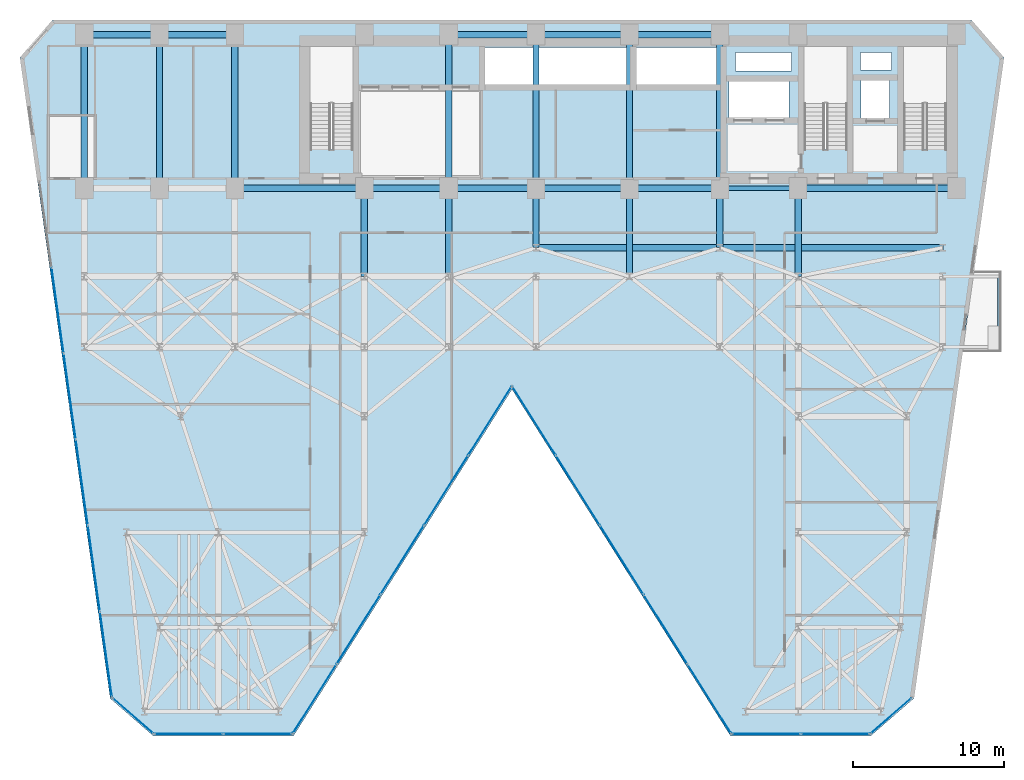
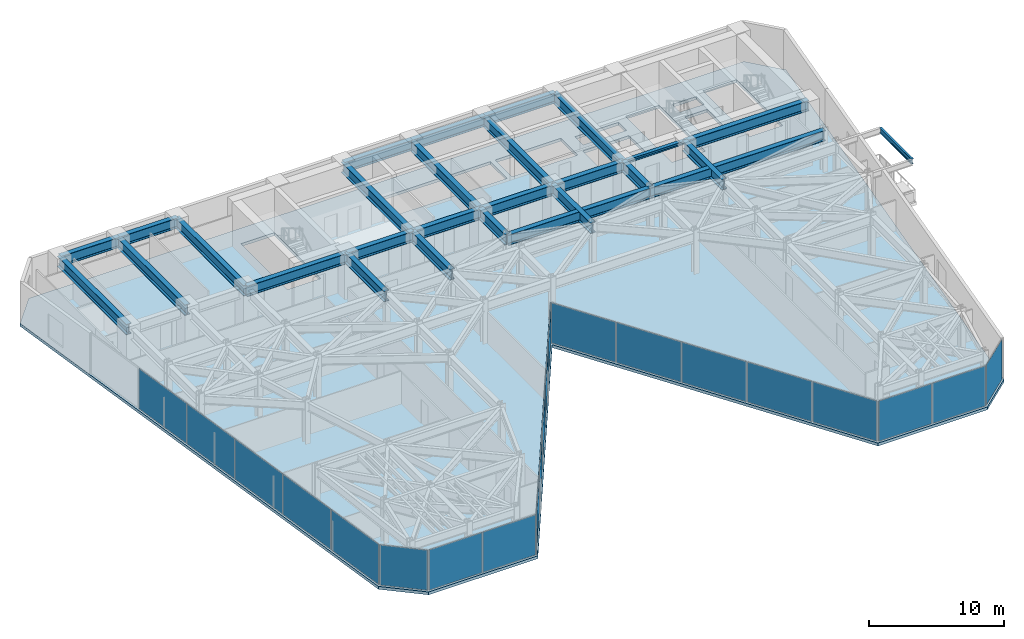
# One storey, part 18 of 24: 28 beams, 21 plates, 1 slab, 7 elements without a shape of their own.
"""IFC4 building model written with IfcOpenShell, lengths in metres."""

import ifcopenshell
import ifcopenshell.guid

model = None  # the IFC model being written
_history = None  # IfcOwnerHistory: only IFC2X3 demands one
_inside = {}  # id of a spatial element -> (the spatial element, [elements in it])
_under = {}  # id of a project, library or spatial element -> (it, [spatial elements below it])
_declared = {}  # id of a project -> (the project, [libraries it declares])
_typed = {}  # id of a type object -> (the type object, [elements of that type])
_made_of = {}  # id of a material, layer set ... -> (it, [elements and type objects made of it])


def new_model(schema):
    """Start an empty IFC model of exactly this schema.

    Asked for "IFC4X3", IfcOpenShell would pick the latest addendum, in which some entities
    have other attributes; the version numbers below select the first issue.
    IFC2X3 requires an IfcOwnerHistory on every rooted entity: one is made here for all.
    """
    global model, _history
    if schema == "IFC4X3":
        model = ifcopenshell.file(schema_version=(4, 3, 0, 0))
    else:
        model = ifcopenshell.file(schema=schema)
    _inside.clear()
    _under.clear()
    _declared.clear()
    _typed.clear()
    _made_of.clear()
    _history = None
    if model.schema == "IFC2X3":
        org = make("IfcOrganization", Name="unknown")
        user = make(
            "IfcPersonAndOrganization",
            ThePerson=make("IfcPerson", FamilyName="unknown"),
            TheOrganization=org,
        )
        app = make(
            "IfcApplication",
            ApplicationDeveloper=org,
            Version="unknown",
            ApplicationFullName="unknown",
            ApplicationIdentifier="unknown",
        )
        _history = make(
            "IfcOwnerHistory",
            OwningUser=user,
            OwningApplication=app,
            ChangeAction="ADDED",
            CreationDate=0,
        )
    return model


def make(cls, **values):
    """One entity of the class cls with the attributes given. An attribute that is None is left unset."""
    return model.create_entity(
        cls, **{name: value for name, value in values.items() if value is not None}
    )


def rooted(cls, **values):
    """An entity with a GlobalId (a new one), such as an element, a storey or a relation."""
    return make(cls, GlobalId=ifcopenshell.guid.new(), OwnerHistory=_history, **values)


def si_unit(unit_type, name, prefix=None):
    """IfcSIUnit, for example si_unit("LENGTHUNIT", "METRE", prefix="MILLI")."""
    return make("IfcSIUnit", UnitType=unit_type, Prefix=prefix, Name=name)


def assignment(units):
    """IfcUnitAssignment: the units of a project."""
    return None if units is None else make("IfcUnitAssignment", Units=units)


def point(xyz):
    """IfcCartesianPoint."""
    return None if xyz is None else make("IfcCartesianPoint", Coordinates=xyz)


def direction(xyz):
    """IfcDirection."""
    return None if xyz is None else make("IfcDirection", DirectionRatios=xyz)


def frame(location, z_axis=None, x_axis=None):
    """IfcAxis2Placement3D, a coordinate frame: its origin and axes. An axis left out is left unset."""
    return make(
        "IfcAxis2Placement3D",
        Location=point(location),
        Axis=direction(z_axis),
        RefDirection=direction(x_axis),
    )


def frame_2d(location, x_axis=None):
    """IfcAxis2Placement2D, a coordinate frame in the plane: its origin and x axis."""
    return make(
        "IfcAxis2Placement2D", Location=point(location), RefDirection=direction(x_axis)
    )


def origin():
    """The frame at (0, 0, 0) with its axes left unset."""
    return frame((0.0, 0.0, 0.0))


def origin_2d():
    """The frame at (0, 0) in the plane with its x axis left unset."""
    return frame_2d((0.0, 0.0))


def place(relative_to, where):
    """IfcLocalPlacement: puts the frame where relative to a parent placement (None: the world)."""
    return make(
        "IfcLocalPlacement", PlacementRelTo=relative_to, RelativePlacement=where
    )


def context(
    kind, dimensions, precision=None, world=None, true_north=None, identifier=None
):
    """IfcGeometricRepresentationContext, for example the 3D "Model" context."""
    return make(
        "IfcGeometricRepresentationContext",
        ContextIdentifier=identifier,
        ContextType=kind,
        CoordinateSpaceDimension=dimensions,
        Precision=precision,
        WorldCoordinateSystem=world,
        TrueNorth=true_north,
    )


def subcontext(parent, identifier, kind, view, scale=None):
    """IfcGeometricRepresentationSubContext, for example "Body" below "Model"."""
    return make(
        "IfcGeometricRepresentationSubContext",
        ContextIdentifier=identifier,
        ContextType=kind,
        ParentContext=parent,
        TargetScale=scale,
        TargetView=view,
    )


def project(units=None, contexts=None):
    """IfcProject with its units and contexts."""
    return rooted(
        "IfcProject",
        Name="project",
        RepresentationContexts=contexts,
        UnitsInContext=assignment(units),
    )


def spatial(cls, under=None, at=None, **own):
    """A site, building, storey or space (cls), placed at a placement, below another one or the project."""
    s = rooted(cls, ObjectPlacement=at, **own)
    if under is not None:
        _under.setdefault(under.id(), (under, []))[1].append(s)
    return s


def polyline(points):
    """IfcPolyline through the points."""
    return make("IfcPolyline", Points=[point(p) for p in points])


def profile(cls, at=None, kind="AREA", **sizes):
    """A parametric profile (cls). Its sizes go by their IFC names, for example OverallWidth=200.0."""
    return make(cls, ProfileType=kind, Position=at, **sizes)


def rectangle(**sizes):
    """IfcRectangleProfileDef."""
    return profile("IfcRectangleProfileDef", **sizes)


def i_section(**sizes):
    """IfcIShapeProfileDef."""
    return profile("IfcIShapeProfileDef", **sizes)


def outline(outer, holes=None, kind="AREA"):
    """IfcArbitraryClosedProfileDef: a profile drawn as a closed curve; with holes, ...WithVoids."""
    if holes is None:
        return make("IfcArbitraryClosedProfileDef", ProfileType=kind, OuterCurve=outer)
    return make(
        "IfcArbitraryProfileDefWithVoids",
        ProfileType=kind,
        OuterCurve=outer,
        InnerCurves=holes,
    )


def extrude(swept, where, along, depth):
    """IfcExtrudedAreaSolid: the profile swept, set in the frame where, extruded along a direction by depth."""
    return make(
        "IfcExtrudedAreaSolid",
        SweptArea=swept,
        Position=where,
        ExtrudedDirection=direction(along),
        Depth=depth,
    )


def shape(context_of_items, identifier, shape_type, items):
    """IfcShapeRepresentation: the items that make up one representation, for example the "Body"."""
    return make(
        "IfcShapeRepresentation",
        ContextOfItems=context_of_items,
        RepresentationIdentifier=identifier,
        RepresentationType=shape_type,
        Items=items,
    )


def material(Name=None, Category=None):
    """IfcMaterial."""
    return make("IfcMaterial", Name=Name, Category=Category)


def layer(
    of_material, thickness, ventilated=None, Name=None, Category=None, Priority=None
):
    """IfcMaterialLayer: one layer of a wall or slab, of a material (None: an air gap)."""
    return make(
        "IfcMaterialLayer",
        Material=of_material,
        LayerThickness=thickness,
        IsVentilated=ventilated,
        Name=Name,
        Category=Category,
        Priority=Priority,
    )


def layer_set(layers, Name=None):
    """IfcMaterialLayerSet."""
    return make("IfcMaterialLayerSet", MaterialLayers=layers, LayerSetName=Name)


def material_profile(
    of_material, cross_section, Name=None, Category=None, Priority=None
):
    """IfcMaterialProfile: a cross section and its material."""
    return make(
        "IfcMaterialProfile",
        Name=Name,
        Material=of_material,
        Profile=cross_section,
        Priority=Priority,
        Category=Category,
    )


def profile_set(profiles, Name=None, composite=None):
    """IfcMaterialProfileSet."""
    return make(
        "IfcMaterialProfileSet",
        Name=Name,
        MaterialProfiles=profiles,
        CompositeProfile=composite,
    )


def made_of(thing, what):
    """Note that an element or type object is made of a material, layer set ...; save() writes the relation."""
    if what is not None:
        _made_of.setdefault(what.id(), (what, []))[1].append(thing)
    return thing


def type_object(cls, material=None, **own):
    """A type object (cls), such as IfcWallType, which elements share."""
    return made_of(rooted(cls, **own), material)


def element(
    cls,
    number,
    at=None,
    inside=None,
    cuts=None,
    type_object=None,
    material=None,
    context=None,
    identifier="Body",
    shape_type=None,
    held_by="IfcProductDefinitionShape",
    body=None,
    shapes=None,
    **own,
):
    """One element of the class cls, such as IfcWall. Its Tag is "e" and its number.

    at: its placement. inside: the storey or other place that contains it. cuts: it is an
    opening in that element (IfcRelVoidsElement). A single representation is given by context,
    identifier, shape_type and body (its items); several are given by shapes. held_by: the class
    of the entity that holds the representations. save() writes the other relations.
    """
    e = rooted(cls, Tag="e%d" % number, ObjectPlacement=at, **own)
    if body is not None:
        shapes = [shape(context, identifier, shape_type, body)]
    if shapes is not None:
        e.Representation = make(held_by, Representations=shapes)
    if inside is not None:
        _inside.setdefault(inside.id(), (inside, []))[1].append(e)
    if cuts is not None:
        rooted(
            "IfcRelVoidsElement", RelatingBuildingElement=cuts, RelatedOpeningElement=e
        )
    if type_object is not None:
        _typed.setdefault(type_object.id(), (type_object, []))[1].append(e)
    return made_of(e, material)


def aggregate(whole, parts):
    """IfcRelAggregates: a whole, such as a stair, and the parts it consists of."""
    return rooted("IfcRelAggregates", RelatingObject=whole, RelatedObjects=parts)


def save(model, path):
    """Write the relations noted so far, then the file.

    IfcRelAggregates (storeys below a building ...), IfcRelContainedInSpatialStructure (elements
    in a storey), IfcRelDefinesByType, IfcRelAssociatesMaterial and IfcRelDeclares: one each for
    every whole, place, type object, material and project.
    """
    for whole, parts in _under.values():
        aggregate(whole, parts)
    for where, things in _inside.values():
        rooted(
            "IfcRelContainedInSpatialStructure",
            RelatedElements=things,
            RelatingStructure=where,
        )
    for kind, things in _typed.values():
        rooted("IfcRelDefinesByType", RelatedObjects=things, RelatingType=kind)
    for what, things in _made_of.values():
        rooted("IfcRelAssociatesMaterial", RelatedObjects=things, RelatingMaterial=what)
    for by, libraries in _declared.values():
        rooted("IfcRelDeclares", RelatingContext=by, RelatedDefinitions=libraries)
    model.write(path)


model = new_model("IFC4")

# Units and contexts
model_context = context("Model", 3, precision=1e-05, world=origin(), true_north=direction((0.0, 1.0)))
body_context = subcontext(model_context, "Body", "Model", "MODEL_VIEW")
ifc_project = project(units=[si_unit("LENGTHUNIT", "METRE"), si_unit("AREAUNIT", "SQUARE_METRE"), si_unit("VOLUMEUNIT", "CUBIC_METRE"), si_unit("PLANEANGLEUNIT", "RADIAN"), si_unit("MASSUNIT", "GRAM", prefix="KILO")], contexts=[model_context])

# Site, building, storey
site_placement = place(None, origin())
site = spatial("IfcSite", under=ifc_project, at=site_placement, CompositionType="ELEMENT")
building_placement = place(site_placement, origin())
building = spatial("IfcBuilding", under=site, at=building_placement, Name="Kravanh Interchange Tower", CompositionType="ELEMENT")
storey_placement = place(building_placement, frame((0.0, 0.0, 61.5)))
storey = spatial("IfcBuildingStorey", under=building, at=storey_placement, Name="L14", CompositionType="ELEMENT", Elevation=61.5)

# Beams
ifc_material_1 = material(Name="Structural Steel S355", Category="steel")
ifc_material_profile_1 = material_profile(ifc_material_1, i_section(OverallWidth=0.41796875, OverallDepth=0.927001953125, WebThickness=0.019287109375, FlangeThickness=0.031982421875, FilletRadius=0.028076171875, at=origin_2d()), Name="W36X231")
ifc_profile_set_1 = profile_set([ifc_material_profile_1], Name="Structural Steel S355")
beam_type_1 = type_object("IfcBeamType", Name="Floor Beam W36X231 Structural Steel S355", PredefinedType="BEAM", material=ifc_profile_set_1)
beam_1_placement = place(storey_placement, frame((66.5, 37.35009765625, 3.276611328125), z_axis=(-1.0, 0.0, 0.0), x_axis=(0.0, -1.0, 0.0)))
element("IfcBeam", 1, at=beam_1_placement, inside=storey, type_object=beam_type_1, Name="L14 Primary Floor Girder 5", PredefinedType="BEAM", context=body_context, shape_type="SweptSolid", body=[
    extrude(i_section(OverallWidth=0.41796875, OverallDepth=0.927001953125, WebThickness=0.019287109375, FlangeThickness=0.031982421875, FilletRadius=0.028076171875, at=origin_2d()), origin(), (0.0, 0.0, 1.0), 10.5),
])
beam_2_placement = place(storey_placement, frame((56.0, 37.35009765625, 3.276611328125), z_axis=(0.0, -1.0, 0.0), x_axis=(1.0, 0.0, 0.0)))
element("IfcBeam", 2, at=beam_2_placement, inside=storey, type_object=beam_type_1, Name="L14 Primary Floor Girder 7", PredefinedType="BEAM", context=body_context, shape_type="SweptSolid", body=[
    extrude(i_section(OverallWidth=0.41796875, OverallDepth=0.927001953125, WebThickness=0.019287109375, FlangeThickness=0.031982421875, FilletRadius=0.028076171875, at=origin_2d()), origin(), (0.0, 0.0, 1.0), 5.85009765625),
])
beam_3_placement = place(storey_placement, frame((50.800048828125, 47.550048828125, 3.276611328125), z_axis=(-1.0, 0.0, 0.0), x_axis=(0.0, -1.0, 0.0)))
element("IfcBeam", 3, at=beam_3_placement, inside=storey, type_object=beam_type_1, Name="L14 Primary Floor Girder 8", PredefinedType="BEAM", context=body_context, shape_type="SweptSolid", body=[
    extrude(i_section(OverallWidth=0.41796875, OverallDepth=0.927001953125, WebThickness=0.019287109375, FlangeThickness=0.031982421875, FilletRadius=0.028076171875, at=origin_2d()), origin(), (0.0, 0.0, 1.0), 6.0),
])
beam_4_placement = place(storey_placement, frame((50.800048828125, 47.550048828125, 3.276611328125), z_axis=(0.0, -1.0, 0.0), x_axis=(1.0, 0.0, 0.0)))
element("IfcBeam", 4, at=beam_4_placement, inside=storey, type_object=beam_type_1, Name="L14 Primary Floor Girder 9", PredefinedType="BEAM", context=body_context, shape_type="SweptSolid", body=[
    extrude(i_section(OverallWidth=0.41796875, OverallDepth=0.927001953125, WebThickness=0.019287109375, FlangeThickness=0.031982421875, FilletRadius=0.028076171875, at=origin_2d()), origin(), (0.0, 0.0, 1.0), 10.199951171875),
])
beam_5_placement = place(storey_placement, frame((50.800048828125, 37.35009765625, 3.276611328125), z_axis=(0.0, -1.0, 0.0), x_axis=(1.0, 0.0, 0.0)))
element("IfcBeam", 5, at=beam_5_placement, inside=storey, type_object=beam_type_1, Name="L14 Primary Floor Girder 10", PredefinedType="BEAM", context=body_context, shape_type="SweptSolid", body=[
    extrude(i_section(OverallWidth=0.41796875, OverallDepth=0.927001953125, WebThickness=0.019287109375, FlangeThickness=0.031982421875, FilletRadius=0.028076171875, at=origin_2d()), origin(), (0.0, 0.0, 1.0), 3.9501953125),
])
beam_6_placement = place(storey_placement, frame((50.800048828125, 37.35009765625, 3.276611328125), z_axis=(-1.0, 0.0, 0.0), x_axis=(0.0, -1.0, 0.0)))
element("IfcBeam", 6, at=beam_6_placement, inside=storey, type_object=beam_type_1, Name="L14 Primary Floor Girder 11", PredefinedType="BEAM", context=body_context, shape_type="SweptSolid", body=[
    extrude(i_section(OverallWidth=0.41796875, OverallDepth=0.927001953125, WebThickness=0.019287109375, FlangeThickness=0.031982421875, FilletRadius=0.028076171875, at=origin_2d()), origin(), (0.0, 0.0, 1.0), 6.0),
])
beam_7_placement = place(storey_placement, frame((44.800048828125, 37.35009765625, 3.276611328125), z_axis=(0.0, -1.0, 0.0), x_axis=(1.0, 0.0, 0.0)))
element("IfcBeam", 7, at=beam_7_placement, inside=storey, type_object=beam_type_1, Name="L14 Primary Floor Girder 12", PredefinedType="BEAM", context=body_context, shape_type="SweptSolid", body=[
    extrude(i_section(OverallWidth=0.41796875, OverallDepth=0.927001953125, WebThickness=0.019287109375, FlangeThickness=0.031982421875, FilletRadius=0.028076171875, at=origin_2d()), origin(), (0.0, 0.0, 1.0), 5.85009765625),
])
beam_8_placement = place(storey_placement, frame((44.800048828125, 37.35009765625, 3.276611328125), z_axis=(-1.0, 0.0, 0.0), x_axis=(0.0, -1.0, 0.0)))
element("IfcBeam", 8, at=beam_8_placement, inside=storey, type_object=beam_type_1, Name="L14 Primary Floor Girder 13", PredefinedType="BEAM", context=body_context, shape_type="SweptSolid", body=[
    extrude(i_section(OverallWidth=0.41796875, OverallDepth=0.927001953125, WebThickness=0.019287109375, FlangeThickness=0.031982421875, FilletRadius=0.028076171875, at=origin_2d()), origin(), (0.0, 0.0, 1.0), 6.199951171875),
])
beam_9_placement = place(storey_placement, frame((44.800048828125, 37.35009765625, 3.276611328125), z_axis=(0.0, 1.0, 0.0), x_axis=(-1.0, 0.0, 0.0)))
element("IfcBeam", 9, at=beam_9_placement, inside=storey, type_object=beam_type_1, Name="L14 Primary Floor Girder 14", PredefinedType="BEAM", context=body_context, shape_type="SweptSolid", body=[
    extrude(i_section(OverallWidth=0.41796875, OverallDepth=0.927001953125, WebThickness=0.019287109375, FlangeThickness=0.031982421875, FilletRadius=0.028076171875, at=origin_2d()), origin(), (0.0, 0.0, 1.0), 10.199951171875),
])
beam_10_placement = place(storey_placement, frame((44.800048828125, 47.550048828125, 3.276611328125), z_axis=(-1.0, 0.0, 0.0), x_axis=(0.0, -1.0, 0.0)))
element("IfcBeam", 10, at=beam_10_placement, inside=storey, type_object=beam_type_1, Name="L14 Primary Floor Girder 15", PredefinedType="BEAM", context=body_context, shape_type="SweptSolid", body=[
    extrude(i_section(OverallWidth=0.41796875, OverallDepth=0.927001953125, WebThickness=0.019287109375, FlangeThickness=0.031982421875, FilletRadius=0.028076171875, at=origin_2d()), origin(), (0.0, 0.0, 1.0), 6.199951171875),
])
beam_11_placement = place(storey_placement, frame((38.60009765625, 37.35009765625, 3.276611328125), z_axis=(0.0, -1.0, 0.0), x_axis=(1.0, 0.0, 0.0)))
element("IfcBeam", 11, at=beam_11_placement, inside=storey, type_object=beam_type_1, Name="L14 Primary Floor Girder 16", PredefinedType="BEAM", context=body_context, shape_type="SweptSolid", body=[
    extrude(i_section(OverallWidth=0.41796875, OverallDepth=0.927001953125, WebThickness=0.019287109375, FlangeThickness=0.031982421875, FilletRadius=0.028076171875, at=origin_2d()), origin(), (0.0, 0.0, 1.0), 3.9501953125),
])
beam_12_placement = place(storey_placement, frame((38.60009765625, 37.35009765625, 3.276611328125), z_axis=(-1.0, 0.0, 0.0), x_axis=(0.0, -1.0, 0.0)))
element("IfcBeam", 12, at=beam_12_placement, inside=storey, type_object=beam_type_1, Name="L14 Primary Floor Girder 17", PredefinedType="BEAM", context=body_context, shape_type="SweptSolid", body=[
    extrude(i_section(OverallWidth=0.41796875, OverallDepth=0.927001953125, WebThickness=0.019287109375, FlangeThickness=0.031982421875, FilletRadius=0.028076171875, at=origin_2d()), origin(), (0.0, 0.0, 1.0), 5.800048828125),
])
beam_13_placement = place(storey_placement, frame((38.60009765625, 37.35009765625, 3.276611328125), z_axis=(0.0, 1.0, 0.0), x_axis=(-1.0, 0.0, 0.0)))
element("IfcBeam", 13, at=beam_13_placement, inside=storey, type_object=beam_type_1, Name="L14 Primary Floor Girder 18", PredefinedType="BEAM", context=body_context, shape_type="SweptSolid", body=[
    extrude(i_section(OverallWidth=0.41796875, OverallDepth=0.927001953125, WebThickness=0.019287109375, FlangeThickness=0.031982421875, FilletRadius=0.028076171875, at=origin_2d()), origin(), (0.0, 0.0, 1.0), 10.199951171875),
])
beam_14_placement = place(storey_placement, frame((38.60009765625, 47.550048828125, 3.276611328125), z_axis=(-1.0, 0.0, 0.0), x_axis=(0.0, -1.0, 0.0)))
element("IfcBeam", 14, at=beam_14_placement, inside=storey, type_object=beam_type_1, Name="L14 Primary Floor Girder 19", PredefinedType="BEAM", context=body_context, shape_type="SweptSolid", body=[
    extrude(i_section(OverallWidth=0.41796875, OverallDepth=0.927001953125, WebThickness=0.019287109375, FlangeThickness=0.031982421875, FilletRadius=0.028076171875, at=origin_2d()), origin(), (0.0, 0.0, 1.0), 5.800048828125),
])
beam_15_placement = place(storey_placement, frame((32.800048828125, 37.35009765625, 3.276611328125), z_axis=(-1.0, 0.0, 0.0), x_axis=(0.0, -1.0, 0.0)))
element("IfcBeam", 15, at=beam_15_placement, inside=storey, type_object=beam_type_1, Name="L14 Primary Floor Girder 20", PredefinedType="BEAM", context=body_context, shape_type="SweptSolid", body=[
    extrude(i_section(OverallWidth=0.41796875, OverallDepth=0.927001953125, WebThickness=0.019287109375, FlangeThickness=0.031982421875, FilletRadius=0.028076171875, at=origin_2d()), origin(), (0.0, 0.0, 1.0), 5.60009765625),
])
beam_16_placement = place(storey_placement, frame((32.800048828125, 37.35009765625, 3.276611328125), z_axis=(0.0, -1.0, 0.0), x_axis=(1.0, 0.0, 0.0)))
element("IfcBeam", 16, at=beam_16_placement, inside=storey, type_object=beam_type_1, Name="L14 Primary Floor Girder 21", PredefinedType="BEAM", context=body_context, shape_type="SweptSolid", body=[
    extrude(i_section(OverallWidth=0.41796875, OverallDepth=0.927001953125, WebThickness=0.019287109375, FlangeThickness=0.031982421875, FilletRadius=0.028076171875, at=origin_2d()), origin(), (0.0, 0.0, 1.0), 5.85009765625),
])
beam_17_placement = place(storey_placement, frame((32.800048828125, 37.35009765625, 3.276611328125), z_axis=(0.0, 1.0, 0.0), x_axis=(-1.0, 0.0, 0.0)))
element("IfcBeam", 17, at=beam_17_placement, inside=storey, type_object=beam_type_1, Name="L14 Primary Floor Girder 22", PredefinedType="BEAM", context=body_context, shape_type="SweptSolid", body=[
    extrude(i_section(OverallWidth=0.41796875, OverallDepth=0.927001953125, WebThickness=0.019287109375, FlangeThickness=0.031982421875, FilletRadius=0.028076171875, at=origin_2d()), origin(), (0.0, 0.0, 1.0), 10.199951171875),
])
beam_18_placement = place(storey_placement, frame((27.199951171875, 37.35009765625, 3.276611328125), z_axis=(0.0, -1.0, 0.0), x_axis=(1.0, 0.0, 0.0)))
element("IfcBeam", 18, at=beam_18_placement, inside=storey, type_object=beam_type_1, Name="L14 Primary Floor Girder 24", PredefinedType="BEAM", context=body_context, shape_type="SweptSolid", body=[
    extrude(i_section(OverallWidth=0.41796875, OverallDepth=0.927001953125, WebThickness=0.019287109375, FlangeThickness=0.031982421875, FilletRadius=0.028076171875, at=origin_2d()), origin(), (0.0, 0.0, 1.0), 5.85009765625),
])
beam_19_placement = place(storey_placement, frame((27.199951171875, 37.35009765625, 3.276611328125), z_axis=(-1.0, 0.0, 0.0), x_axis=(0.0, -1.0, 0.0)))
element("IfcBeam", 19, at=beam_19_placement, inside=storey, type_object=beam_type_1, Name="L14 Primary Floor Girder 25", PredefinedType="BEAM", context=body_context, shape_type="SweptSolid", body=[
    extrude(i_section(OverallWidth=0.41796875, OverallDepth=0.927001953125, WebThickness=0.019287109375, FlangeThickness=0.031982421875, FilletRadius=0.028076171875, at=origin_2d()), origin(), (0.0, 0.0, 1.0), 8.599853515625),
])
beam_20_placement = place(storey_placement, frame((18.60009765625, 37.35009765625, 3.276611328125), z_axis=(0.0, 1.0, 0.0), x_axis=(-1.0, 0.0, 0.0)))
element("IfcBeam", 20, at=beam_20_placement, inside=storey, type_object=beam_type_1, Name="L14 Primary Floor Girder 30", PredefinedType="BEAM", context=body_context, shape_type="SweptSolid", body=[
    extrude(i_section(OverallWidth=0.41796875, OverallDepth=0.927001953125, WebThickness=0.019287109375, FlangeThickness=0.031982421875, FilletRadius=0.028076171875, at=origin_2d()), origin(), (0.0, 0.0, 1.0), 10.199951171875),
])
beam_21_placement = place(storey_placement, frame((18.60009765625, 47.550048828125, 3.276611328125), z_axis=(-1.0, 0.0, 0.0), x_axis=(0.0, -1.0, 0.0)))
element("IfcBeam", 21, at=beam_21_placement, inside=storey, type_object=beam_type_1, Name="L14 Primary Floor Girder 31", PredefinedType="BEAM", context=body_context, shape_type="SweptSolid", body=[
    extrude(i_section(OverallWidth=0.41796875, OverallDepth=0.927001953125, WebThickness=0.019287109375, FlangeThickness=0.031982421875, FilletRadius=0.028076171875, at=origin_2d()), origin(), (0.0, 0.0, 1.0), 5.0),
])
beam_22_placement = place(storey_placement, frame((13.60009765625, 37.35009765625, 3.276611328125), z_axis=(0.0, 1.0, 0.0), x_axis=(-1.0, 0.0, 0.0)))
element("IfcBeam", 22, at=beam_22_placement, inside=storey, type_object=beam_type_1, Name="L14 Primary Floor Girder 34", PredefinedType="BEAM", context=body_context, shape_type="SweptSolid", body=[
    extrude(i_section(OverallWidth=0.41796875, OverallDepth=0.927001953125, WebThickness=0.019287109375, FlangeThickness=0.031982421875, FilletRadius=0.028076171875, at=origin_2d()), origin(), (0.0, 0.0, 1.0), 10.199951171875),
])
beam_23_placement = place(storey_placement, frame((13.60009765625, 47.550048828125, 3.276611328125), z_axis=(-1.0, 0.0, 0.0), x_axis=(0.0, -1.0, 0.0)))
element("IfcBeam", 23, at=beam_23_placement, inside=storey, type_object=beam_type_1, Name="L14 Primary Floor Girder 35", PredefinedType="BEAM", context=body_context, shape_type="SweptSolid", body=[
    extrude(i_section(OverallWidth=0.41796875, OverallDepth=0.927001953125, WebThickness=0.019287109375, FlangeThickness=0.031982421875, FilletRadius=0.028076171875, at=origin_2d()), origin(), (0.0, 0.0, 1.0), 5.0),
])
beam_24_placement = place(storey_placement, frame((8.60009765625, 37.35009765625, 3.276611328125), z_axis=(0.0, 1.0, 0.0), x_axis=(-1.0, 0.0, 0.0)))
element("IfcBeam", 24, at=beam_24_placement, inside=storey, type_object=beam_type_1, Name="L14 Primary Floor Girder 37", PredefinedType="BEAM", context=body_context, shape_type="SweptSolid", body=[
    extrude(i_section(OverallWidth=0.41796875, OverallDepth=0.927001953125, WebThickness=0.019287109375, FlangeThickness=0.031982421875, FilletRadius=0.028076171875, at=origin_2d()), origin(), (0.0, 0.0, 1.0), 10.199951171875),
])
beam_25_placement = place(storey_placement, frame((38.60009765625, 33.39990234375, 3.276611328125), z_axis=(1.0, 0.0, 0.0), x_axis=(0.0, 1.0, 0.0)))
element("IfcBeam", 25, at=beam_25_placement, inside=storey, type_object=beam_type_1, Name="L14 Primary Floor Girder 145", PredefinedType="BEAM", context=body_context, shape_type="SweptSolid", body=[
    extrude(i_section(OverallWidth=0.41796875, OverallDepth=0.927001953125, WebThickness=0.019287109375, FlangeThickness=0.031982421875, FilletRadius=0.028076171875, at=origin_2d()), origin(), (0.0, 0.0, 1.0), 12.199951171875),
])
beam_26_placement = place(storey_placement, frame((50.800048828125, 33.39990234375, 3.276611328125), z_axis=(1.0, 0.0, 0.0), x_axis=(0.0, 1.0, 0.0)))
element("IfcBeam", 26, at=beam_26_placement, inside=storey, type_object=beam_type_1, Name="L14 Primary Floor Girder 146", PredefinedType="BEAM", context=body_context, shape_type="SweptSolid", body=[
    extrude(i_section(OverallWidth=0.41796875, OverallDepth=0.927001953125, WebThickness=0.019287109375, FlangeThickness=0.031982421875, FilletRadius=0.028076171875, at=origin_2d()), origin(), (0.0, 0.0, 1.0), 14.800048828125),
])
ifc_material_2 = material(Name="Structural Steel S355", Category="steel")
ifc_material_profile_2 = material_profile(ifc_material_2, i_section(OverallWidth=0.18994140625, OverallDepth=0.45703125, WebThickness=0.009033203125, FlangeThickness=0.014404296875, FilletRadius=0.01806640625, at=origin_2d()), Name="W18X50")
ifc_profile_set_2 = profile_set([ifc_material_profile_2], Name="Structural Steel S355")
beam_type_2 = type_object("IfcBeamType", Name="Floor Joist W18X50 Structural Steel S355", PredefinedType="JOIST", material=ifc_profile_set_2)
beam_27_placement = place(storey_placement, frame((69.330078125, 26.800048828125, 3.511474609375), z_axis=(0.0, 1.0, 0.0), x_axis=(-1.0, 0.0, 0.0)))
element("IfcBeam", 27, at=beam_27_placement, inside=storey, type_object=beam_type_2, Name="L14 Balcony Edge Tie Beam E", PredefinedType="JOIST", context=body_context, shape_type="SweptSolid", body=[
    extrude(i_section(OverallWidth=0.18994140625, OverallDepth=0.45703125, WebThickness=0.009033203125, FlangeThickness=0.014404296875, FilletRadius=0.01806640625, at=origin_2d()), origin(), (0.0, 0.0, 1.0), 4.699951171875),
])
ifc_material_3 = material(Name="Structural Steel S355", Category="steel")
ifc_material_profile_3 = material_profile(ifc_material_3, i_section(OverallWidth=0.304931640625, OverallDepth=0.306884765625, WebThickness=0.010009765625, FlangeThickness=0.015380859375, FilletRadius=0.014892578125, at=origin_2d()), Name="W12X65")
ifc_profile_set_3 = profile_set([ifc_material_profile_3], Name="Structural Steel S355")
beam_type_3 = type_object("IfcBeamType", Name="Floor Lintel W12X65 Structural Steel S355", PredefinedType="LINTEL", material=ifc_profile_set_3)
beam_28_placement = place(storey_placement, frame((50.800048828125, 37.35009765625, 3.58642578125), z_axis=(1.0, 0.0, 0.0), x_axis=(0.0, 1.0, 0.0)))
element("IfcBeam", 28, at=beam_28_placement, inside=storey, type_object=beam_type_3, Name="L14 Core Coupling Lintel 1", PredefinedType="LINTEL", context=body_context, shape_type="SweptSolid", body=[
    extrude(i_section(OverallWidth=0.304931640625, OverallDepth=0.306884765625, WebThickness=0.010009765625, FlangeThickness=0.015380859375, FilletRadius=0.014892578125, at=origin_2d()), origin(), (0.0, 0.0, 1.0), 5.199951171875),
])

# Slab
ifc_material_4 = material(Name="Concrete C50/60", Category="concrete")
ifc_layer_1 = layer(ifc_material_4, 0.260009765625)
ifc_layer_set_1 = layer_set([ifc_layer_1], Name="Composite Floor Slab Concrete C50/60 260mm")
slab_type = type_object("IfcSlabType", Name="Composite Floor Slab Concrete C50/60 260mm", PredefinedType="FLOOR", material=ifc_layer_set_1)
slab_placement = place(storey_placement, frame((0.0, 0.0, -0.260009765625)))
element("IfcSlab", 29, at=slab_placement, inside=storey, type_object=slab_type, Name="L14 Structural Floor Slab", PredefinedType="FLOOR", context=body_context, shape_type="SweptSolid", body=[
    extrude(outline(polyline([(10.327880859375, 3.4755859375), (13.17578125, 1.0), (22.5, 1.0), (37.0, 24.0), (51.5, 1.0), (60.82421875, 1.0), (63.672119140625, 3.4755859375), (69.652099609375, 46.0244140625), (67.5, 48.5), (6.5, 48.5), (4.347900390625, 46.0244140625), (10.327880859375, 3.4755859375)]), holes=[polyline([(65.85009765625, 39.925048828125), (65.85009765625, 46.75), (63.0, 46.75), (63.0, 39.925048828125), (65.85009765625, 39.925048828125)]), polyline([(59.25, 39.925048828125), (59.25, 46.75), (56.39990234375, 46.75), (56.39990234375, 39.925048828125), (59.25, 39.925048828125)]), polyline([(26.449951171875, 39.925048828125), (26.449951171875, 46.75), (23.60009765625, 46.75), (23.60009765625, 39.925048828125), (26.449951171875, 39.925048828125)]), polyline([(35.179931640625, 44.219970703125), (44.840087890625, 44.219970703125), (44.840087890625, 46.699951171875), (35.179931640625, 46.699951171875), (35.179931640625, 44.219970703125)]), polyline([(45.239990234375, 44.219970703125), (50.840087890625, 44.219970703125), (50.840087890625, 46.699951171875), (45.239990234375, 46.699951171875), (45.239990234375, 44.219970703125)]), polyline([(51.419921875, 42.02001953125), (55.3798828125, 42.02001953125), (55.3798828125, 44.47998046875), (51.419921875, 44.47998046875), (51.419921875, 42.02001953125)]), polyline([(60.179931640625, 41.97998046875), (62.06005859375, 41.97998046875), (62.06005859375, 44.52001953125), (60.179931640625, 44.52001953125), (60.179931640625, 41.97998046875)]), polyline([(60.14990234375, 45.199951171875), (62.199951171875, 45.199951171875), (62.199951171875, 46.35009765625), (60.14990234375, 46.35009765625), (60.14990234375, 45.199951171875)]), polyline([(51.85009765625, 45.14990234375), (55.550048828125, 45.14990234375), (55.550048828125, 46.35009765625), (51.85009765625, 46.35009765625), (51.85009765625, 45.14990234375)])]), origin(), (0.0, 0.0, 1.0), 0.260009765625),
])

# Curtain wall, plates
ifc_material_5 = material(Name="Anodised Bronze Aluminium", Category="aluminium")
ifc_layer_2 = layer(ifc_material_5, 0.179931640625)
ifc_layer_set_2 = layer_set([ifc_layer_2], Name="Unitised Curtain Wall System CW-Z1 Lower Office")
curtain_wall_type = type_object("IfcCurtainWallType", Name="Unitised Curtain Wall System CW-Z1 Lower Office", PredefinedType="NOTDEFINED", material=ifc_layer_set_2)
curtain_wall_1_placement = place(storey_placement, origin())
curtain_wall_1 = element("IfcCurtainWall", 30, at=curtain_wall_1_placement, inside=storey, type_object=curtain_wall_type, Name="L14 Unitised Curtain Wall CW-L14-01", PredefinedType="NOTDEFINED")
ifc_material_6 = material(Name="Low-E Laminated Architectural Glass", Category="glass")
ifc_layer_3 = layer(ifc_material_6, 0.028076171875)
ifc_layer_set_3 = layer_set([ifc_layer_3], Name="Solar-Control Double Glazing 28mm")
plate_type = type_object("IfcPlateType", Name="Solar-Control Double Glazing 28mm", PredefinedType="CURTAIN_PANEL", material=ifc_layer_set_3)
plate_1_placement = place(storey_placement, frame((10.03662109375, 6.409423828125, 0.06005859375), z_axis=(0.0, 0.0, 1.0), x_axis=(-0.139176538065, 0.990267585682, 0.0)))
plate_1 = element("IfcPlate", 31, at=plate_1_placement, type_object=plate_type, Name="CW-Z1 panel 1.1", PredefinedType="CURTAIN_PANEL", context=body_context, shape_type="SweptSolid", body=[
    extrude(rectangle(XDim=5.66162109375, YDim=0.028076171875, at=origin_2d()), origin(), (0.0, 0.0, 1.0), 3.6201171875),
])
plate_2_placement = place(storey_placement, frame((9.236572265625, 12.1025390625, 0.06005859375), z_axis=(0.0, 0.0, 1.0), x_axis=(-0.139176538065, 0.990267585682, 0.0)))
plate_2 = element("IfcPlate", 32, at=plate_2_placement, type_object=plate_type, Name="CW-Z1 panel 2.1", PredefinedType="CURTAIN_PANEL", context=body_context, shape_type="SweptSolid", body=[
    extrude(rectangle(XDim=5.69677734375, YDim=0.028076171875, at=origin_2d()), origin(), (0.0, 0.0, 1.0), 3.6201171875),
])
plate_3_placement = place(storey_placement, frame((8.433837890625, 17.813232421875, 0.06005859375), z_axis=(0.0, 0.0, 1.0), x_axis=(-0.139176538065, 0.990267585682, 0.0)))
plate_3 = element("IfcPlate", 33, at=plate_3_placement, type_object=plate_type, Name="CW-Z1 panel 3.1", PredefinedType="CURTAIN_PANEL", context=body_context, shape_type="SweptSolid", body=[
    extrude(rectangle(XDim=5.69677734375, YDim=0.028076171875, at=origin_2d()), origin(), (0.0, 0.0, 1.0), 3.6201171875),
])
plate_4_placement = place(storey_placement, frame((7.63134765625, 23.523681640625, 0.06005859375), z_axis=(0.0, 0.0, 1.0), x_axis=(-0.139176538065, 0.990267585682, 0.0)))
plate_4 = element("IfcPlate", 34, at=plate_4_placement, type_object=plate_type, Name="CW-Z1 panel 4.1", PredefinedType="CURTAIN_PANEL", context=body_context, shape_type="SweptSolid", body=[
    extrude(rectangle(XDim=5.69677734375, YDim=0.028076171875, at=origin_2d()), origin(), (0.0, 0.0, 1.0), 3.6201171875),
])
plate_5_placement = place(storey_placement, frame((6.828857421875, 29.234130859375, 0.06005859375), z_axis=(0.0, 0.0, 1.0), x_axis=(-0.139176538065, 0.990267585682, 0.0)))
plate_5 = element("IfcPlate", 35, at=plate_5_placement, type_object=plate_type, Name="CW-Z1 panel 5.1", PredefinedType="CURTAIN_PANEL", context=body_context, shape_type="SweptSolid", body=[
    extrude(rectangle(XDim=5.69677734375, YDim=0.028076171875, at=origin_2d()), origin(), (0.0, 0.0, 1.0), 3.6201171875),
])
aggregate(curtain_wall_1, [plate_1, plate_2, plate_3, plate_4, plate_5])

# Curtain wall, plate
curtain_wall_2_placement = place(storey_placement, origin())
curtain_wall_2 = element("IfcCurtainWall", 36, at=curtain_wall_2_placement, inside=storey, type_object=curtain_wall_type, Name="L14 Unitised Curtain Wall CW-L14-02", PredefinedType="NOTDEFINED")
plate_6_placement = place(storey_placement, frame((62.16943359375, 2.328369140625, 0.06005859375), z_axis=(0.0, 0.0, 1.0), x_axis=(-0.754708368999, -0.656060422341, 0.0)))
plate_6 = element("IfcPlate", 37, at=plate_6_placement, type_object=plate_type, Name="CW-Z1 panel 1.1", PredefinedType="CURTAIN_PANEL", context=body_context, shape_type="SweptSolid", body=[
    extrude(rectangle(XDim=3.543701171875, YDim=0.028076171875, at=origin_2d()), origin(), (0.0, 0.0, 1.0), 3.6201171875),
])
aggregate(curtain_wall_2, [plate_6])

# Curtain wall, plates
curtain_wall_3_placement = place(storey_placement, origin())
curtain_wall_3 = element("IfcCurtainWall", 38, at=curtain_wall_3_placement, inside=storey, type_object=curtain_wall_type, Name="L14 Unitised Curtain Wall CW-L14-03", PredefinedType="NOTDEFINED")
plate_7_placement = place(storey_placement, frame((58.45849609375, 1.1201171875, 0.06005859375), z_axis=(0.0, 0.0, 1.0), x_axis=(-1.0, 0.0, 0.0)))
plate_7 = element("IfcPlate", 39, at=plate_7_placement, type_object=plate_type, Name="CW-Z1 panel 1.1", PredefinedType="CURTAIN_PANEL", context=body_context, shape_type="SweptSolid", body=[
    extrude(rectangle(XDim=4.501708984375, YDim=0.028076171875, at=origin_2d()), origin(), (0.0, 0.0, 1.0), 3.6201171875),
])
plate_8_placement = place(storey_placement, frame((53.886962890625, 1.1201171875, 0.06005859375), z_axis=(0.0, 0.0, 1.0), x_axis=(-1.0, 0.0, 0.0)))
plate_8 = element("IfcPlate", 40, at=plate_8_placement, type_object=plate_type, Name="CW-Z1 panel 2.1", PredefinedType="CURTAIN_PANEL", context=body_context, shape_type="SweptSolid", body=[
    extrude(rectangle(XDim=4.501708984375, YDim=0.028076171875, at=origin_2d()), origin(), (0.0, 0.0, 1.0), 3.6201171875),
])
aggregate(curtain_wall_3, [plate_7, plate_8])

curtain_wall_4_placement = place(storey_placement, origin())
curtain_wall_4 = element("IfcCurtainWall", 41, at=curtain_wall_4_placement, inside=storey, type_object=curtain_wall_type, Name="L14 Unitised Curtain Wall CW-L14-04", PredefinedType="NOTDEFINED")
plate_9_placement = place(storey_placement, frame((50.100341796875, 3.4453125, 0.06005859375), z_axis=(0.0, 0.0, 1.0), x_axis=(-0.53330103728, 0.845925530786, 0.0)))
plate_9 = element("IfcPlate", 42, at=plate_9_placement, type_object=plate_type, Name="CW-Z1 panel 1.1", PredefinedType="CURTAIN_PANEL", context=body_context, shape_type="SweptSolid", body=[
    extrude(rectangle(XDim=5.357666015625, YDim=0.028076171875, at=origin_2d()), origin(), (0.0, 0.0, 1.0), 3.6201171875),
])
plate_10_placement = place(storey_placement, frame((47.1962890625, 8.051513671875, 0.06005859375), z_axis=(0.0, 0.0, 1.0), x_axis=(-0.53330103728, 0.845925530786, 0.0)))
plate_10 = element("IfcPlate", 43, at=plate_10_placement, type_object=plate_type, Name="CW-Z1 panel 2.1", PredefinedType="CURTAIN_PANEL", context=body_context, shape_type="SweptSolid", body=[
    extrude(rectangle(XDim=5.392578125, YDim=0.028076171875, at=origin_2d()), origin(), (0.0, 0.0, 1.0), 3.6201171875),
])
plate_11_placement = place(storey_placement, frame((44.283203125, 12.672607421875, 0.06005859375), z_axis=(0.0, 0.0, 1.0), x_axis=(-0.53330103728, 0.845925530786, 0.0)))
plate_11 = element("IfcPlate", 44, at=plate_11_placement, type_object=plate_type, Name="CW-Z1 panel 3.1", PredefinedType="CURTAIN_PANEL", context=body_context, shape_type="SweptSolid", body=[
    extrude(rectangle(XDim=5.392578125, YDim=0.028076171875, at=origin_2d()), origin(), (0.0, 0.0, 1.0), 3.6201171875),
])
plate_12_placement = place(storey_placement, frame((41.369873046875, 17.29345703125, 0.06005859375), z_axis=(0.0, 0.0, 1.0), x_axis=(-0.53330103728, 0.845925530786, 0.0)))
plate_12 = element("IfcPlate", 45, at=plate_12_placement, type_object=plate_type, Name="CW-Z1 panel 4.1", PredefinedType="CURTAIN_PANEL", context=body_context, shape_type="SweptSolid", body=[
    extrude(rectangle(XDim=5.392578125, YDim=0.028076171875, at=origin_2d()), origin(), (0.0, 0.0, 1.0), 3.6201171875),
])
plate_13_placement = place(storey_placement, frame((38.466064453125, 21.899658203125, 0.06005859375), z_axis=(0.0, 0.0, 1.0), x_axis=(-0.53330103728, 0.845925530786, 0.0)))
plate_13 = element("IfcPlate", 46, at=plate_13_placement, type_object=plate_type, Name="CW-Z1 panel 5.1", PredefinedType="CURTAIN_PANEL", context=body_context, shape_type="SweptSolid", body=[
    extrude(rectangle(XDim=5.357666015625, YDim=0.028076171875, at=origin_2d()), origin(), (0.0, 0.0, 1.0), 3.6201171875),
])
aggregate(curtain_wall_4, [plate_9, plate_10, plate_11, plate_12, plate_13])

curtain_wall_5_placement = place(storey_placement, origin())
curtain_wall_5 = element("IfcCurtainWall", 47, at=curtain_wall_5_placement, inside=storey, type_object=curtain_wall_type, Name="L14 Unitised Curtain Wall CW-L14-05", PredefinedType="NOTDEFINED")
plate_14_placement = place(storey_placement, frame((35.533935546875, 21.899658203125, 0.06005859375), z_axis=(0.0, 0.0, 1.0), x_axis=(-0.53330103728, -0.845925530786, 0.0)))
plate_14 = element("IfcPlate", 48, at=plate_14_placement, type_object=plate_type, Name="CW-Z1 panel 1.1", PredefinedType="CURTAIN_PANEL", context=body_context, shape_type="SweptSolid", body=[
    extrude(rectangle(XDim=5.357666015625, YDim=0.028076171875, at=origin_2d()), origin(), (0.0, 0.0, 1.0), 3.6201171875),
])
plate_15_placement = place(storey_placement, frame((32.630126953125, 17.29345703125, 0.06005859375), z_axis=(0.0, 0.0, 1.0), x_axis=(-0.53330103728, -0.845925530786, 0.0)))
plate_15 = element("IfcPlate", 49, at=plate_15_placement, type_object=plate_type, Name="CW-Z1 panel 2.1", PredefinedType="CURTAIN_PANEL", context=body_context, shape_type="SweptSolid", body=[
    extrude(rectangle(XDim=5.392578125, YDim=0.028076171875, at=origin_2d()), origin(), (0.0, 0.0, 1.0), 3.6201171875),
])
plate_16_placement = place(storey_placement, frame((29.716796875, 12.672607421875, 0.06005859375), z_axis=(0.0, 0.0, 1.0), x_axis=(-0.53330103728, -0.845925530786, 0.0)))
plate_16 = element("IfcPlate", 50, at=plate_16_placement, type_object=plate_type, Name="CW-Z1 panel 3.1", PredefinedType="CURTAIN_PANEL", context=body_context, shape_type="SweptSolid", body=[
    extrude(rectangle(XDim=5.392578125, YDim=0.028076171875, at=origin_2d()), origin(), (0.0, 0.0, 1.0), 3.6201171875),
])
plate_17_placement = place(storey_placement, frame((26.8037109375, 8.051513671875, 0.06005859375), z_axis=(0.0, 0.0, 1.0), x_axis=(-0.53330103728, -0.845925530786, 0.0)))
plate_17 = element("IfcPlate", 51, at=plate_17_placement, type_object=plate_type, Name="CW-Z1 panel 4.1", PredefinedType="CURTAIN_PANEL", context=body_context, shape_type="SweptSolid", body=[
    extrude(rectangle(XDim=5.392578125, YDim=0.028076171875, at=origin_2d()), origin(), (0.0, 0.0, 1.0), 3.6201171875),
])
plate_18_placement = place(storey_placement, frame((23.899658203125, 3.4453125, 0.06005859375), z_axis=(0.0, 0.0, 1.0), x_axis=(-0.53330103728, -0.845925530786, 0.0)))
plate_18 = element("IfcPlate", 52, at=plate_18_placement, type_object=plate_type, Name="CW-Z1 panel 5.1", PredefinedType="CURTAIN_PANEL", context=body_context, shape_type="SweptSolid", body=[
    extrude(rectangle(XDim=5.357666015625, YDim=0.028076171875, at=origin_2d()), origin(), (0.0, 0.0, 1.0), 3.6201171875),
])
aggregate(curtain_wall_5, [plate_14, plate_15, plate_16, plate_17, plate_18])

curtain_wall_6_placement = place(storey_placement, origin())
curtain_wall_6 = element("IfcCurtainWall", 53, at=curtain_wall_6_placement, inside=storey, type_object=curtain_wall_type, Name="L14 Unitised Curtain Wall CW-L14-06", PredefinedType="NOTDEFINED")
plate_19_placement = place(storey_placement, frame((20.113037109375, 1.1201171875, 0.06005859375), z_axis=(0.0, 0.0, 1.0), x_axis=(-1.0, 0.0, 0.0)))
plate_19 = element("IfcPlate", 54, at=plate_19_placement, type_object=plate_type, Name="CW-Z1 panel 1.1", PredefinedType="CURTAIN_PANEL", context=body_context, shape_type="SweptSolid", body=[
    extrude(rectangle(XDim=4.501708984375, YDim=0.028076171875, at=origin_2d()), origin(), (0.0, 0.0, 1.0), 3.6201171875),
])
plate_20_placement = place(storey_placement, frame((15.54150390625, 1.1201171875, 0.06005859375), z_axis=(0.0, 0.0, 1.0), x_axis=(-1.0, 0.0, 0.0)))
plate_20 = element("IfcPlate", 55, at=plate_20_placement, type_object=plate_type, Name="CW-Z1 panel 2.1", PredefinedType="CURTAIN_PANEL", context=body_context, shape_type="SweptSolid", body=[
    extrude(rectangle(XDim=4.501708984375, YDim=0.028076171875, at=origin_2d()), origin(), (0.0, 0.0, 1.0), 3.6201171875),
])
aggregate(curtain_wall_6, [plate_19, plate_20])

# Curtain wall, plate
curtain_wall_7_placement = place(storey_placement, origin())
curtain_wall_7 = element("IfcCurtainWall", 56, at=curtain_wall_7_placement, inside=storey, type_object=curtain_wall_type, Name="L14 Unitised Curtain Wall CW-L14-07", PredefinedType="NOTDEFINED")
plate_21_placement = place(storey_placement, frame((11.83056640625, 2.328369140625, 0.06005859375), z_axis=(0.0, 0.0, 1.0), x_axis=(-0.754708368999, 0.656060422341, 0.0)))
plate_21 = element("IfcPlate", 57, at=plate_21_placement, type_object=plate_type, Name="CW-Z1 panel 1.1", PredefinedType="CURTAIN_PANEL", context=body_context, shape_type="SweptSolid", body=[
    extrude(rectangle(XDim=3.543701171875, YDim=0.028076171875, at=origin_2d()), origin(), (0.0, 0.0, 1.0), 3.6201171875),
])
aggregate(curtain_wall_7, [plate_21])

save(model, "model.ifc")
